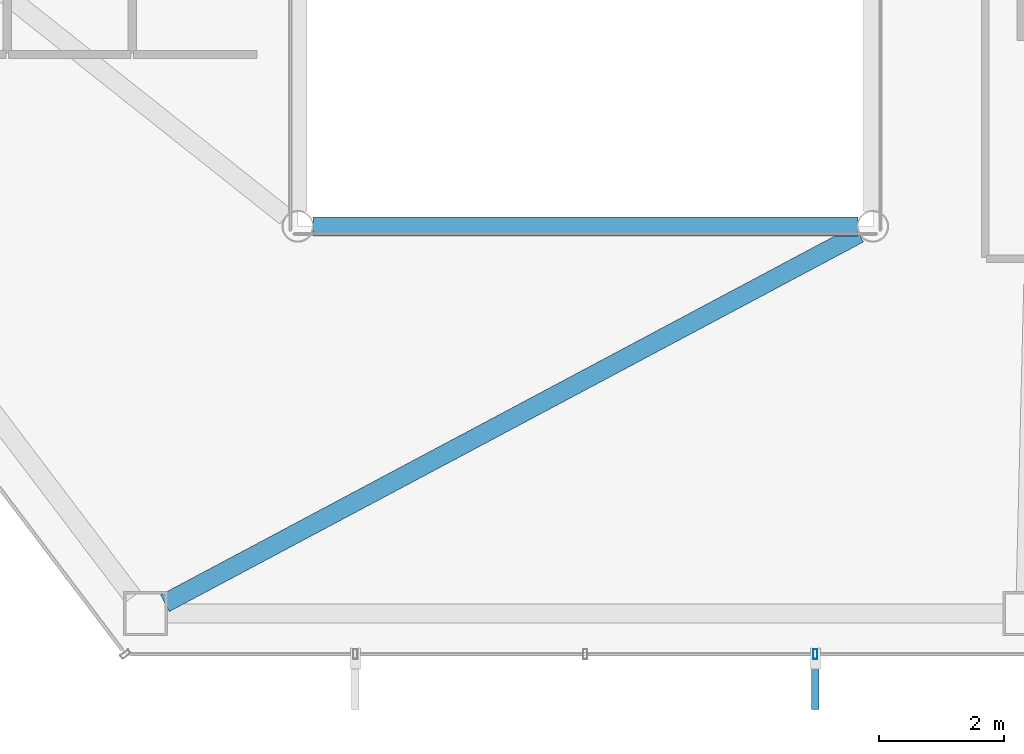
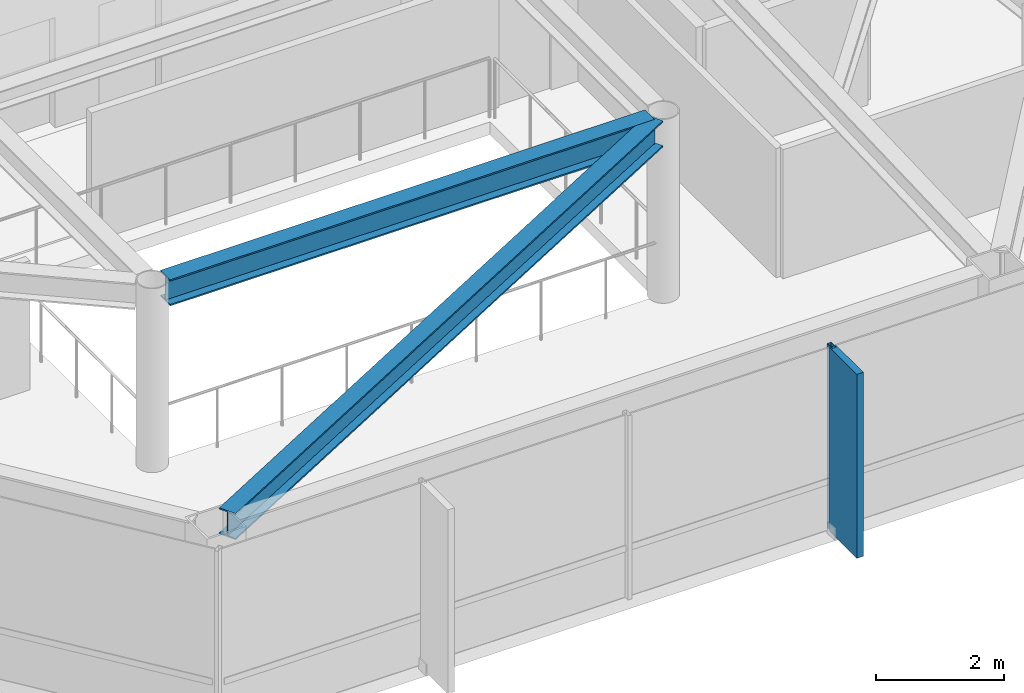
# One storey, part 7 of 27: 2 beams, 2 members, 1 element without a shape of its own.
"""IFC4 building model written with IfcOpenShell, lengths in metres."""

from ifc_helpers import new_model, si_unit, direction, frame, origin, origin_2d, place, context, subcontext, project, spatial, rectangle, hollow_rectangle, i_section, extrude, material, layer, layer_set, material_profile, profile_set, type_object, element, aggregate, save


model = new_model("IFC4")

# Units and contexts
model_context = context("Model", 3, precision=1e-05, world=origin(), true_north=direction((0.0, 1.0)))
body_context = subcontext(model_context, "Body", "Model", "MODEL_VIEW")
ifc_project = project(units=[si_unit("LENGTHUNIT", "METRE"), si_unit("AREAUNIT", "SQUARE_METRE"), si_unit("VOLUMEUNIT", "CUBIC_METRE"), si_unit("PLANEANGLEUNIT", "RADIAN"), si_unit("MASSUNIT", "GRAM", prefix="KILO")], contexts=[model_context])

# Site, building, storey
site_placement = place(None, origin())
site = spatial("IfcSite", under=ifc_project, at=site_placement, CompositionType="ELEMENT")
building_placement = place(site_placement, origin())
building = spatial("IfcBuilding", under=site, at=building_placement, Name="Zarrinselat Tower", CompositionType="ELEMENT")
storey_placement = place(building_placement, frame((0.0, 0.0, 179.52001953125)))
storey = spatial("IfcBuildingStorey", under=building, at=storey_placement, Name="L44", CompositionType="ELEMENT", Elevation=179.52001953125)

# Beams
ifc_material_1 = material(Name="Steel S355J2", Category="steel")
ifc_material_profile_1 = material_profile(ifc_material_1, i_section(OverallWidth=0.300048828125, OverallDepth=0.5, WebThickness=0.014404296875, FlangeThickness=0.028076171875, at=origin_2d()), Name="HEB 500")
ifc_profile_set_1 = profile_set([ifc_material_profile_1], Name="Steel S355J2")
beam_type = type_object("IfcBeamType", Name="BM-HEB500", PredefinedType="BEAM", material=ifc_profile_set_1)
beam_1_placement = place(storey_placement, frame((34.0400390625, 24.39990234375, 3.25), z_axis=(1.0, 0.0, 0.0), x_axis=(0.0, 1.0, 0.0)))
element("IfcBeam", 1, at=beam_1_placement, inside=storey, type_object=beam_type, Name="L44 Atrium Edge Beam S", PredefinedType="BEAM", context=body_context, shape_type="SweptSolid", body=[
    extrude(i_section(OverallWidth=0.300048828125, OverallDepth=0.5, WebThickness=0.014404296875, FlangeThickness=0.028076171875, at=origin_2d()), origin(), (0.0, 0.0, 1.0), 8.719970703125),
])
beam_2_placement = place(storey_placement, frame((31.67529296875, 18.37060546875, 3.25), z_axis=(0.882691705448, 0.469952500933, 0.0), x_axis=(-0.469952500933, 0.882691705448, 0.0)))
element("IfcBeam", 2, at=beam_2_placement, inside=storey, type_object=beam_type, Name="L44 Radial Primary Girder RG10", PredefinedType="BEAM", context=body_context, shape_type="SweptSolid", body=[
    extrude(i_section(OverallWidth=0.300048828125, OverallDepth=0.5, WebThickness=0.014404296875, FlangeThickness=0.028076171875, at=origin_2d()), origin(), (0.0, 0.0, 1.0), 12.57958984375),
])

# Curtain wall, members
ifc_material_2 = material(Name="Extruded Aluminium Alloy EN AW-6063 T6", Category="aluminium")
ifc_layer = layer(ifc_material_2, 0.175048828125)
ifc_layer_set = layer_set([ifc_layer], Name="Extruded Aluminium Alloy EN AW-6063 T6")
curtain_wall_type = type_object("IfcCurtainWallType", Name="CWS-HTL", PredefinedType="NOTDEFINED", material=ifc_layer_set)
curtain_wall_placement = place(storey_placement, origin())
curtain_wall = element("IfcCurtainWall", 3, at=curtain_wall_placement, inside=storey, type_object=curtain_wall_type, Name="L44 Unitised Curtain Wall CW-L44-E04", PredefinedType="NOTDEFINED")
ifc_material_3 = material(Name="Extruded Aluminium Alloy EN AW-6063 T6", Category="aluminium")
ifc_material_profile_2 = material_profile(ifc_material_3, hollow_rectangle(XDim=0.070068359375, YDim=0.159912109375, WallThickness=0.00390625, at=origin_2d()), Name="RHS 160x70x4")
ifc_profile_set_2 = profile_set([ifc_material_profile_2], Name="Extruded Aluminium Alloy EN AW-6063 T6")
member_type_1 = type_object("IfcMemberType", Name="MEM-CW-MUL2", PredefinedType="MULLION", material=ifc_profile_set_2)
member_1_placement = place(storey_placement, frame((42.0791015625, 17.555419921875, 0.0), z_axis=(0.0, 0.0, 1.0), x_axis=(1.0, 0.0, 0.0)))
member_1 = element("IfcMember", 4, at=member_1_placement, type_object=member_type_1, Name="CW-L44-E04 Mullion 3", PredefinedType="MULLION", context=body_context, shape_type="SweptSolid", body=[
    extrude(hollow_rectangle(XDim=0.070068359375, YDim=0.159912109375, WallThickness=0.00390625, at=origin_2d()), origin(), (0.0, 0.0, 1.0), 3.5),
])
ifc_material_4 = material(Name="Honed Cream Travertine Stone", Category="masonry")
ifc_material_profile_3 = material_profile(ifc_material_4, rectangle(XDim=0.1201171875, YDim=0.85009765625, at=origin_2d()), Name="FIN 850x120")
ifc_profile_set_3 = profile_set([ifc_material_profile_3], Name="Honed Cream Travertine Stone")
member_type_2 = type_object("IfcMemberType", Name="MEM-STONE-FIN", PredefinedType="USERDEFINED", material=ifc_profile_set_3)
member_2_placement = place(storey_placement, frame((42.0791015625, 17.09521484375, 0.0), z_axis=(0.0, 0.0, 1.0), x_axis=(-1.0, 0.0, 0.0)))
member_2 = element("IfcMember", 5, at=member_2_placement, type_object=member_type_2, Name="L44 Stone Shading Fin CW-L44-E04-03", ObjectType="FIN", PredefinedType="USERDEFINED", context=body_context, shape_type="SweptSolid", body=[
    extrude(rectangle(XDim=0.1201171875, YDim=0.85009765625, at=origin_2d()), origin(), (0.0, 0.0, 1.0), 3.5),
])
aggregate(curtain_wall, [member_1, member_2])

save(model, "model.ifc")
